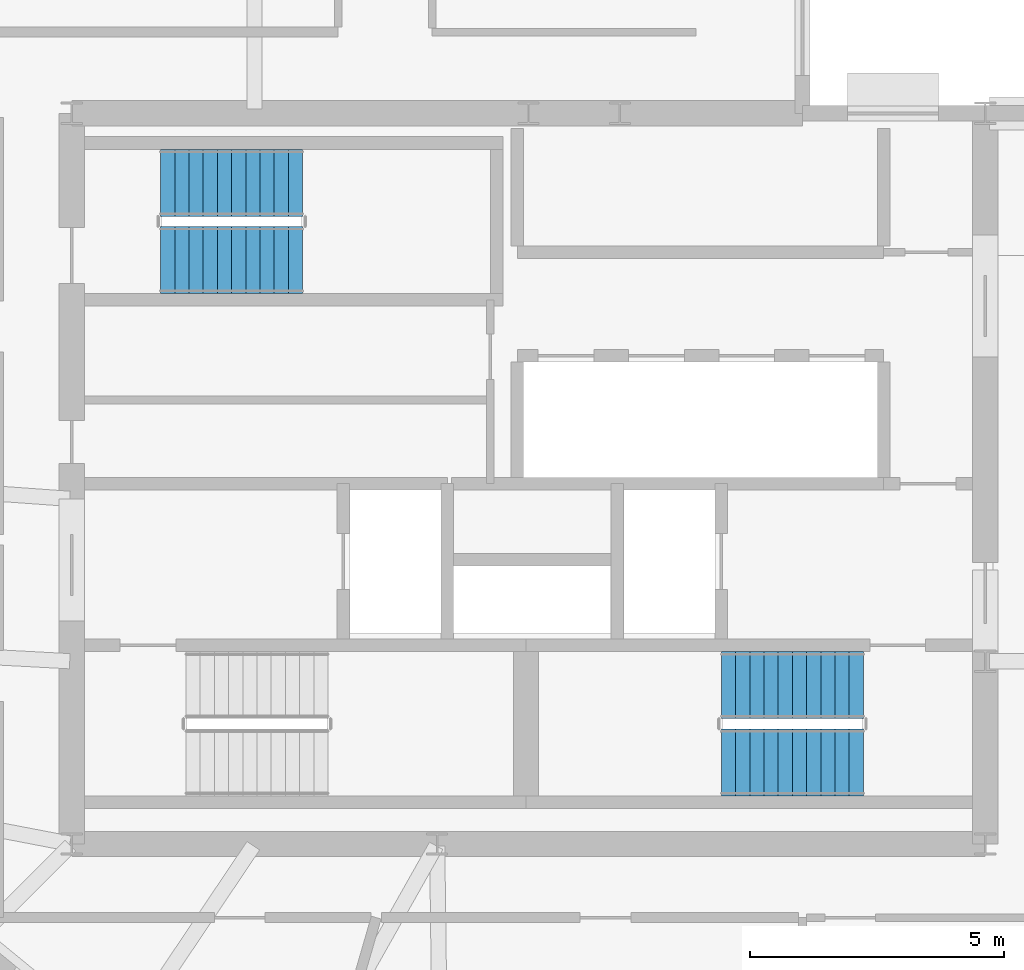
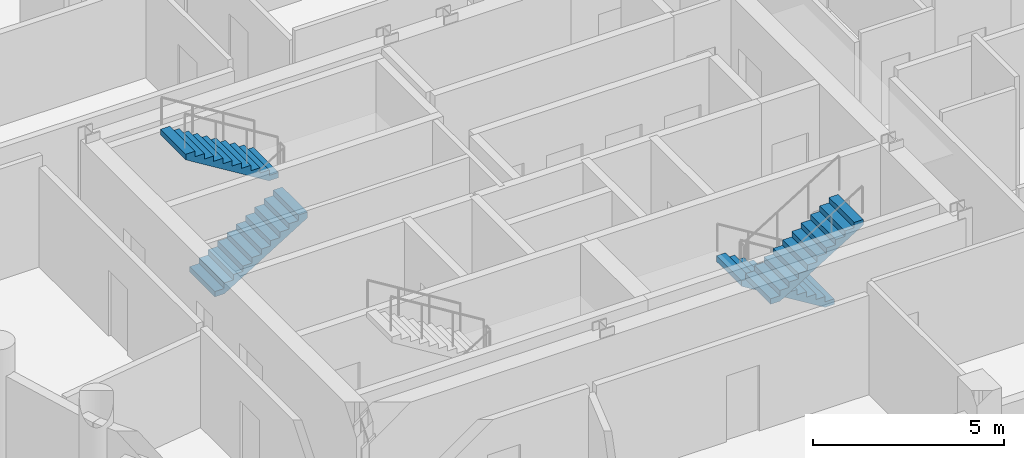
# One storey, part 8 of 10: 4 stair flights, 2 elements without a shape of their own.
"""IFC4 building model written with IfcOpenShell, lengths in metres."""

from ifc_helpers import new_model, si_unit, direction, frame, origin, place, context, subcontext, project, spatial, polyline, outline, extrude, material, type_object, element, aggregate, save


model = new_model("IFC4")

# Units and contexts
model_context = context("Model", 3, precision=1e-05, world=origin(), true_north=direction((0.0, 1.0)))
body_context = subcontext(model_context, "Body", "Model", "MODEL_VIEW")
ifc_project = project(units=[si_unit("LENGTHUNIT", "METRE"), si_unit("AREAUNIT", "SQUARE_METRE"), si_unit("VOLUMEUNIT", "CUBIC_METRE"), si_unit("PLANEANGLEUNIT", "RADIAN"), si_unit("MASSUNIT", "GRAM", prefix="KILO")], contexts=[model_context])

# Site, building, storey
site_placement = place(None, origin())
site = spatial("IfcSite", under=ifc_project, at=site_placement, CompositionType="ELEMENT")
building_placement = place(site_placement, origin())
building = spatial("IfcBuilding", under=site, at=building_placement, Name="Solnavia Interchange Tower", CompositionType="ELEMENT")
storey_placement = place(building_placement, frame((0.0, 0.0, 150.39990234375)))
storey = spatial("IfcBuildingStorey", under=building, at=storey_placement, Name="L37", CompositionType="ELEMENT", Elevation=150.39990234375)

# Stair, stair flights
ifc_material = material(Name="Concrete C40/50", Category="concrete")
stair_type = type_object("IfcStairType", Name="Stair-Dogleg-RC", PredefinedType="HALF_TURN_STAIR", material=ifc_material)
stair_1_placement = place(storey_placement, origin())
stair_1 = element("IfcStair", 1, at=stair_1_placement, inside=storey, type_object=stair_type, Name="L37 Core exit stair 2", PredefinedType="HALF_TURN_STAIR")
stair_flight_type = type_object("IfcStairFlightType", Name="StairFlight-RC-150", PredefinedType="STRAIGHT", material=ifc_material)
stair_flight_1_placement = place(storey_placement, frame((30.0, 13.929931640625, 0.0), z_axis=(0.0, 0.0, 1.0), x_axis=(-1.0, 0.0, 0.0)))
stair_flight_1 = element("IfcStairFlight", 2, at=stair_flight_1_placement, type_object=stair_flight_type, Name="ST-2 flight 1", NumberOfRisers=11, NumberOfTreads=10, PredefinedType="STRAIGHT", RiserHeight=0.172727273, TreadLength=0.28, context=body_context, shape_type="SweptSolid", body=[
    extrude(outline(polyline([(0.0, 0.0), (0.0, 0.172607421875), (0.280029296875, 0.172607421875), (0.280029296875, 0.345458984375), (0.56005859375, 0.345458984375), (0.56005859375, 0.51806640625), (0.840087890625, 0.51806640625), (0.840087890625, 0.69091796875), (1.1201171875, 0.69091796875), (1.1201171875, 0.863525390625), (1.39990234375, 0.863525390625), (1.39990234375, 1.036376953125), (1.679931640625, 1.036376953125), (1.679931640625, 1.208984375), (1.9599609375, 1.208984375), (1.9599609375, 1.3818359375), (2.239990234375, 1.3818359375), (2.239990234375, 1.554443359375), (2.52001953125, 1.554443359375), (2.52001953125, 1.727294921875), (2.800048828125, 1.727294921875), (2.800048828125, 1.89990234375), (2.800048828125, 1.551025390625), (0.285400390625, 0.0), (0.0, 0.0)])), frame((0.0, 0.66015625, 0.0), z_axis=(0.0, -1.0, 0.0), x_axis=(1.0, 0.0, 0.0)), (0.0, 0.0, 1.0), 1.320068359375),
])
stair_flight_2_placement = place(storey_placement, frame((27.199951171875, 12.409912109375, 1.900146484375), z_axis=(0.0, 0.0, 1.0), x_axis=(1.0, 0.0, 0.0)))
stair_flight_2 = element("IfcStairFlight", 3, at=stair_flight_2_placement, type_object=stair_flight_type, Name="ST-2 flight 2", NumberOfRisers=11, NumberOfTreads=10, PredefinedType="STRAIGHT", RiserHeight=0.172727273, TreadLength=0.28, context=body_context, shape_type="SweptSolid", body=[
    extrude(outline(polyline([(0.0, 0.0), (0.0, 0.172607421875), (0.280029296875, 0.172607421875), (0.280029296875, 0.345458984375), (0.56005859375, 0.345458984375), (0.56005859375, 0.51806640625), (0.840087890625, 0.51806640625), (0.840087890625, 0.69091796875), (1.1201171875, 0.69091796875), (1.1201171875, 0.863525390625), (1.39990234375, 0.863525390625), (1.39990234375, 1.036376953125), (1.679931640625, 1.036376953125), (1.679931640625, 1.208984375), (1.9599609375, 1.208984375), (1.9599609375, 1.3818359375), (2.239990234375, 1.3818359375), (2.239990234375, 1.554443359375), (2.52001953125, 1.554443359375), (2.52001953125, 1.727294921875), (2.800048828125, 1.727294921875), (2.800048828125, 1.89990234375), (2.800048828125, 1.551025390625), (0.285400390625, 0.0), (0.0, 0.0)])), frame((0.0, 0.66015625, 0.0), z_axis=(0.0, -1.0, 0.0), x_axis=(1.0, 0.0, 0.0)), (0.0, 0.0, 1.0), 1.320068359375),
])
aggregate(stair_1, [stair_flight_1, stair_flight_2])

stair_2_placement = place(storey_placement, origin())
stair_2 = element("IfcStair", 4, at=stair_2_placement, inside=storey, type_object=stair_type, Name="L37 Core exit stair 3", PredefinedType="HALF_TURN_STAIR")
stair_flight_3_placement = place(storey_placement, frame((16.14990234375, 22.31005859375, 0.0), z_axis=(0.0, 0.0, 1.0), x_axis=(1.0, 0.0, 0.0)))
stair_flight_3 = element("IfcStairFlight", 5, at=stair_flight_3_placement, type_object=stair_flight_type, Name="ST-3 flight 1", NumberOfRisers=11, NumberOfTreads=10, PredefinedType="STRAIGHT", RiserHeight=0.172727273, TreadLength=0.28, context=body_context, shape_type="SweptSolid", body=[
    extrude(outline(polyline([(0.0, 0.0), (0.0, 0.172607421875), (0.280029296875, 0.172607421875), (0.280029296875, 0.345458984375), (0.56005859375, 0.345458984375), (0.56005859375, 0.51806640625), (0.840087890625, 0.51806640625), (0.840087890625, 0.69091796875), (1.1201171875, 0.69091796875), (1.1201171875, 0.863525390625), (1.39990234375, 0.863525390625), (1.39990234375, 1.036376953125), (1.679931640625, 1.036376953125), (1.679931640625, 1.208984375), (1.9599609375, 1.208984375), (1.9599609375, 1.3818359375), (2.239990234375, 1.3818359375), (2.239990234375, 1.554443359375), (2.52001953125, 1.554443359375), (2.52001953125, 1.727294921875), (2.800048828125, 1.727294921875), (2.800048828125, 1.89990234375), (2.800048828125, 1.551025390625), (0.285400390625, 0.0), (0.0, 0.0)])), frame((0.0, 0.66015625, 0.0), z_axis=(0.0, -1.0, 0.0), x_axis=(1.0, 0.0, 0.0)), (0.0, 0.0, 1.0), 1.320068359375),
])
stair_flight_4_placement = place(storey_placement, frame((18.949951171875, 23.830078125, 1.900146484375), z_axis=(0.0, 0.0, 1.0), x_axis=(-1.0, 0.0, 0.0)))
stair_flight_4 = element("IfcStairFlight", 6, at=stair_flight_4_placement, type_object=stair_flight_type, Name="ST-3 flight 2", NumberOfRisers=11, NumberOfTreads=10, PredefinedType="STRAIGHT", RiserHeight=0.172727273, TreadLength=0.28, context=body_context, shape_type="SweptSolid", body=[
    extrude(outline(polyline([(0.0, 0.0), (0.0, 0.172607421875), (0.280029296875, 0.172607421875), (0.280029296875, 0.345458984375), (0.56005859375, 0.345458984375), (0.56005859375, 0.51806640625), (0.840087890625, 0.51806640625), (0.840087890625, 0.69091796875), (1.1201171875, 0.69091796875), (1.1201171875, 0.863525390625), (1.39990234375, 0.863525390625), (1.39990234375, 1.036376953125), (1.679931640625, 1.036376953125), (1.679931640625, 1.208984375), (1.9599609375, 1.208984375), (1.9599609375, 1.3818359375), (2.239990234375, 1.3818359375), (2.239990234375, 1.554443359375), (2.52001953125, 1.554443359375), (2.52001953125, 1.727294921875), (2.800048828125, 1.727294921875), (2.800048828125, 1.89990234375), (2.800048828125, 1.551025390625), (0.285400390625, 0.0), (0.0, 0.0)])), frame((0.0, 0.66015625, 0.0), z_axis=(0.0, -1.0, 0.0), x_axis=(1.0, 0.0, 0.0)), (0.0, 0.0, 1.0), 1.320068359375),
])
aggregate(stair_2, [stair_flight_3, stair_flight_4])

save(model, "model.ifc")
